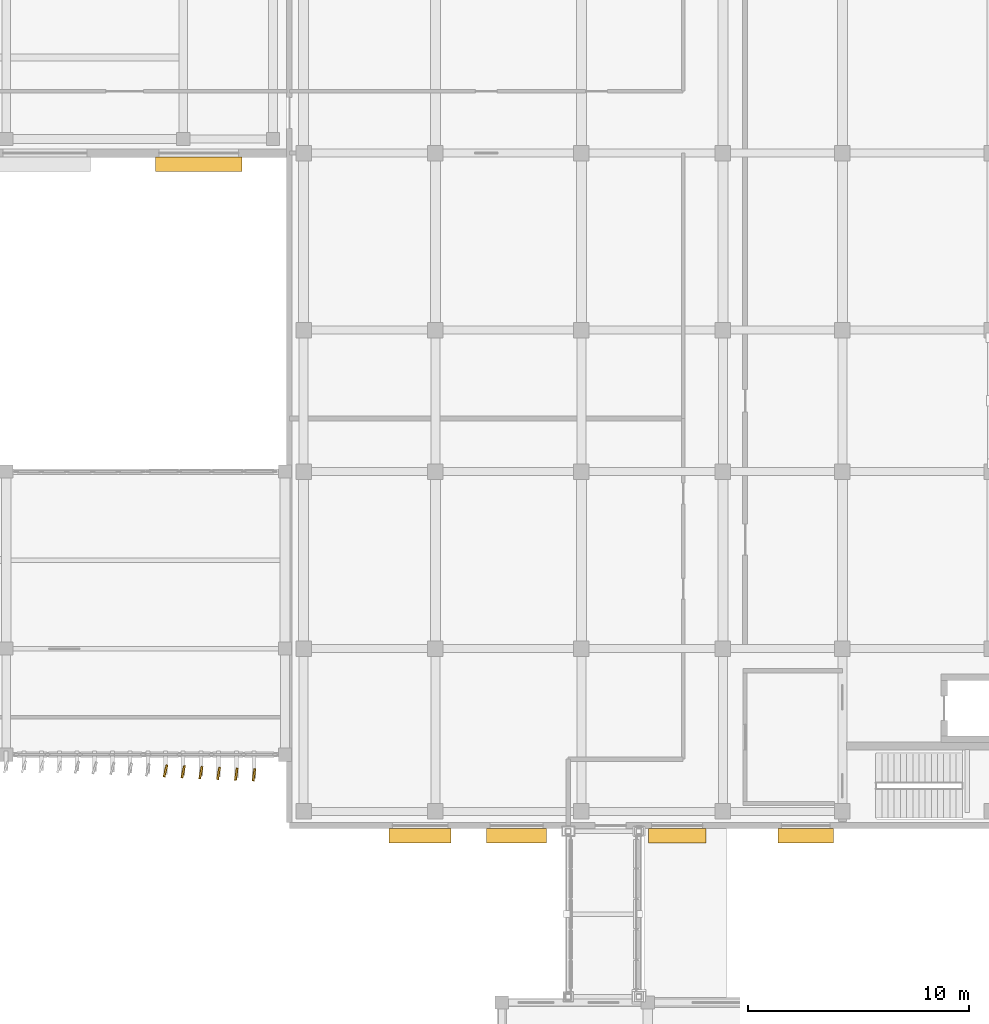
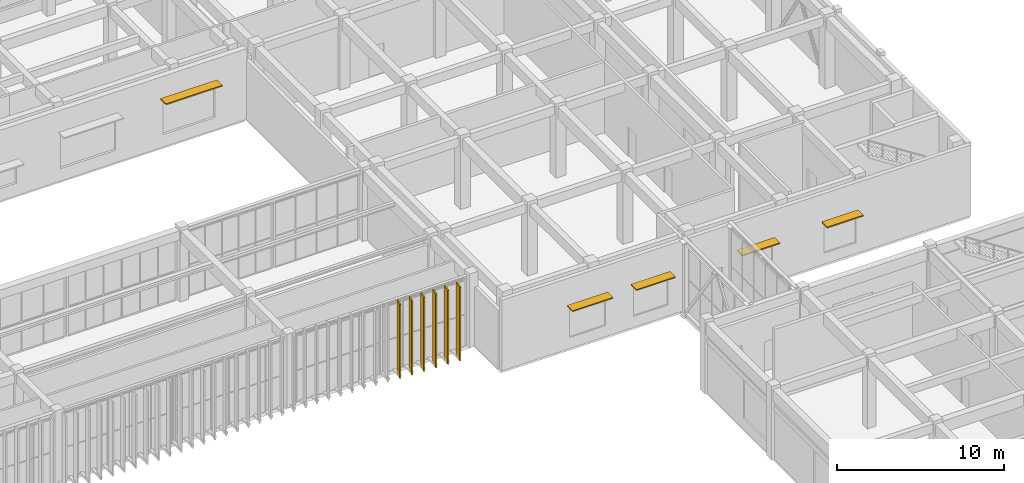
# One storey, part 62 of 64: 6 coverings, 5 shading devices.
"""IFC4 building model written with IfcOpenShell, lengths in metres."""

from ifc_helpers import new_model, si_unit, direction, frame, origin, origin_2d, place, context, subcontext, project, spatial, rectangle, extrude, material, layer, layer_set, type_object, element, save


model = new_model("IFC4")

# Units and contexts
model_context = context("Model", 3, precision=1e-05, world=origin(), true_north=direction((0.0, 1.0)))
body_context = subcontext(model_context, "Body", "Model", "MODEL_VIEW")
ifc_project = project(units=[si_unit("LENGTHUNIT", "METRE"), si_unit("AREAUNIT", "SQUARE_METRE"), si_unit("VOLUMEUNIT", "CUBIC_METRE"), si_unit("PLANEANGLEUNIT", "RADIAN"), si_unit("MASSUNIT", "GRAM", prefix="KILO")], contexts=[model_context])

# Site, building, storey
site_placement = place(None, origin())
site = spatial("IfcSite", under=ifc_project, at=site_placement, CompositionType="ELEMENT")
building_placement = place(site_placement, origin())
building = spatial("IfcBuilding", under=site, at=building_placement, Name="Cinchona Park Media Centre", CompositionType="ELEMENT")
storey_placement = place(building_placement, frame((0.0, 0.0, 10.199951171875)))
storey = spatial("IfcBuildingStorey", under=building, at=storey_placement, Name="L02", CompositionType="ELEMENT", Elevation=10.199951171875)

# Coverings
ifc_material_1 = material(Name="Anodised Storm-Resistant Aluminium Fin", Category="aluminium")
ifc_layer = layer(ifc_material_1, 0.090087890625)
ifc_layer_set = layer_set([ifc_layer], Name="Anodised Storm-Resistant Aluminium Fin")
covering_type = type_object("IfcCoveringType", Name="CLADDING-FIN01", PredefinedType="CLADDING", material=ifc_layer_set)
for number, where, z_axis, x_axis, name in (
    (1, (134.0, 74.070068359375, 0.0), (0.0, 0.0, 1.0), (0.236329411694, 0.971672994977, 0.0), "Twisting Vertical Facade Fin L02"),
    (2, (134.800048828125, 74.030029296875, 0.0), (0.0, 0.0, 1.0), (0.213541936916, 0.97693389806, 0.0), "Twisting Vertical Facade Fin L02"),
    (3, (135.60009765625, 73.990966796875, 0.0), (0.0, 0.0, 1.0), (0.191322947989, 0.981527141537, 0.0), "Twisting Vertical Facade Fin L02"),
    (4, (136.39990234375, 73.9541015625, 0.0), (0.0, 0.0, 1.0), (0.170037510451, 0.985437590637, 0.0), "Twisting Vertical Facade Fin L02"),
    (5, (137.199951171875, 73.919921875, 0.0), (0.0, 0.0, 1.0), (0.150743225348, 0.988572951285, 0.0), "Twisting Vertical Facade Fin L02"),
    (6, (138.0, 73.89111328125, 0.0), (0.0, 0.0, 1.0), (0.134159142573, 0.990959799621, 0.0), "Twisting Vertical Facade Fin L02"),
):
    element("IfcCovering", number, at=place(storey_placement, frame(where, z_axis=z_axis, x_axis=x_axis)), inside=storey, type_object=covering_type, Name=name, PredefinedType="CLADDING", context=body_context, shape_type="SweptSolid", body=[
        extrude(rectangle(XDim=0.56005859375, YDim=0.090087890625, at=origin_2d()), origin(), (0.0, 0.0, 1.0), 5.39990234375),
    ])

# Shading devices
ifc_material_2 = material(Name="Anodised Aluminium Horizontal Brise-Soleil", Category="aluminium")
shading_device_type = type_object("IfcShadingDeviceType", Name="SHADING-SUN01", PredefinedType="AWNING", material=ifc_material_2)
shading_device_1_placement = place(storey_placement, frame((135.5, 101.489990234375, 3.52001953125), z_axis=(0.0, 0.0, 1.0), x_axis=(-1.0, 0.0, 0.0)))
element("IfcShadingDevice", 7, at=shading_device_1_placement, inside=storey, type_object=shading_device_type, Name="Horizontal Sunshade SHD02 L02", PredefinedType="AWNING", context=body_context, shape_type="SweptSolid", body=[
    extrude(rectangle(XDim=3.89990234375, YDim=0.64990234375, at=origin_2d()), origin(), (0.0, 0.0, 1.0), 0.080078125),
])
shading_device_2_placement = place(storey_placement, frame((162.93994140625, 71.14208984375, 3.070068359375), z_axis=(0.0, 0.0, 1.0), x_axis=(-1.0, 0.0, 0.0)))
element("IfcShadingDevice", 8, at=shading_device_2_placement, inside=storey, type_object=shading_device_type, Name="Horizontal Sunshade SHD02 L02", PredefinedType="AWNING", context=body_context, shape_type="SweptSolid", body=[
    extrude(rectangle(XDim=2.5, YDim=0.64990234375, at=origin_2d()), origin(), (0.0, 0.0, 1.0), 0.080078125),
])
shading_device_3_placement = place(storey_placement, frame((157.1298828125, 71.14208984375, 3.070068359375), z_axis=(0.0, 0.0, 1.0), x_axis=(-1.0, 0.0, 0.0)))
element("IfcShadingDevice", 9, at=shading_device_3_placement, inside=storey, type_object=shading_device_type, Name="Horizontal Sunshade SHD02 L02", PredefinedType="AWNING", context=body_context, shape_type="SweptSolid", body=[
    extrude(rectangle(XDim=2.60009765625, YDim=0.64990234375, at=origin_2d()), origin(), (0.0, 0.0, 1.0), 0.080078125),
])
shading_device_4_placement = place(storey_placement, frame((149.8701171875, 71.14208984375, 3.1201171875), z_axis=(0.0, 0.0, 1.0), x_axis=(-1.0, 0.0, 0.0)))
element("IfcShadingDevice", 10, at=shading_device_4_placement, inside=storey, type_object=shading_device_type, Name="Horizontal Sunshade SHD02 L02", PredefinedType="AWNING", context=body_context, shape_type="SweptSolid", body=[
    extrude(rectangle(XDim=2.699951171875, YDim=0.64990234375, at=origin_2d()), origin(), (0.0, 0.0, 1.0), 0.080078125),
])
shading_device_5_placement = place(storey_placement, frame((145.510009765625, 71.14208984375, 3.1201171875), z_axis=(0.0, 0.0, 1.0), x_axis=(-1.0, 0.0, 0.0)))
element("IfcShadingDevice", 11, at=shading_device_5_placement, inside=storey, type_object=shading_device_type, Name="Horizontal Sunshade SHD02 L02", PredefinedType="AWNING", context=body_context, shape_type="SweptSolid", body=[
    extrude(rectangle(XDim=2.800048828125, YDim=0.64990234375, at=origin_2d()), origin(), (0.0, 0.0, 1.0), 0.080078125),
])

save(model, "model.ifc")
